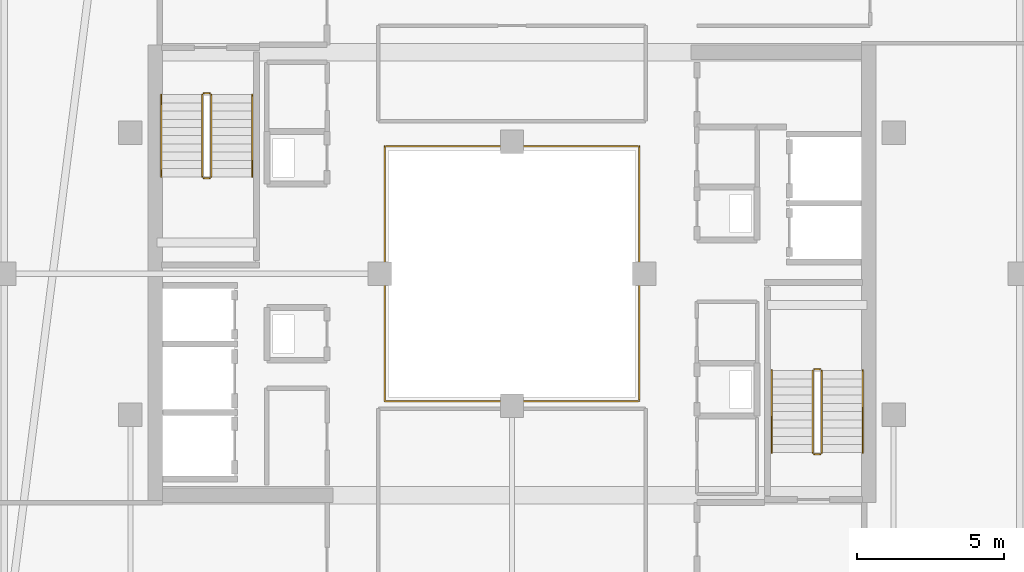
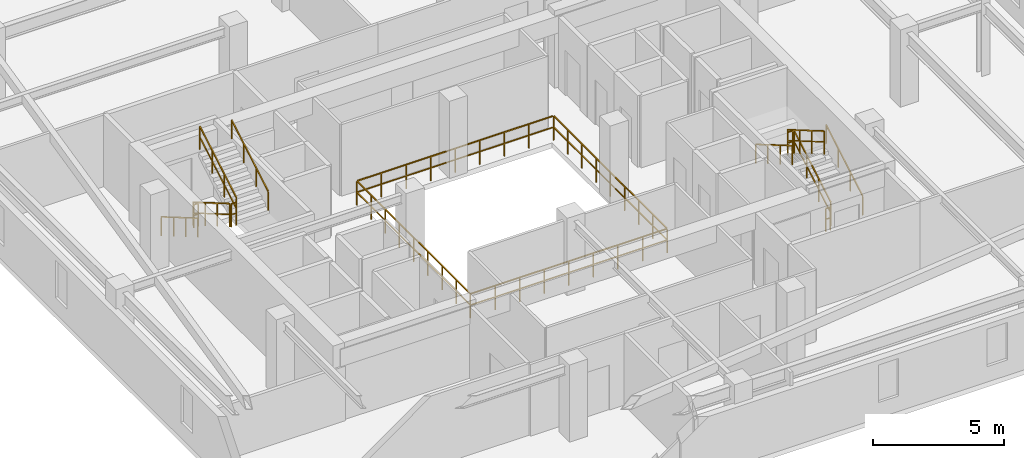
# One storey, part 33 of 34: 13 railings.
"""IFC4 building model written with IfcOpenShell, lengths in metres."""

from ifc_helpers import new_model, si_unit, direction, frame, origin, origin_2d, place, context, subcontext, project, spatial, rectangle, extrude, material, type_object, element, save


model = new_model("IFC4")

# Units and contexts
model_context = context("Model", 3, precision=1e-05, world=origin(), true_north=direction((0.0, 1.0)))
body_context = subcontext(model_context, "Body", "Model", "MODEL_VIEW")
ifc_project = project(units=[si_unit("LENGTHUNIT", "METRE"), si_unit("AREAUNIT", "SQUARE_METRE"), si_unit("VOLUMEUNIT", "CUBIC_METRE"), si_unit("PLANEANGLEUNIT", "RADIAN"), si_unit("MASSUNIT", "GRAM", prefix="KILO")], contexts=[model_context])

# Site, building, storey
site_placement = place(None, origin())
site = spatial("IfcSite", under=ifc_project, at=site_placement, CompositionType="ELEMENT")
building_placement = place(site_placement, origin())
building = spatial("IfcBuilding", under=site, at=building_placement, Name="Thornwick Lancets Civic Towers", CompositionType="ELEMENT")
storey_placement = place(building_placement, frame((0.0, 0.0, 261.89990234375)))
storey = spatial("IfcBuildingStorey", under=building, at=storey_placement, Name="L70", CompositionType="ELEMENT", Elevation=261.89990234375)

# Railings
ifc_material_1 = material(Name="Laminated glass and bronze steel S355", Category="steel")
railing_type_1 = type_object("IfcRailingType", Name="RAIL_ATRIUM_GUARD", PredefinedType="BALUSTRADE", material=ifc_material_1)
railing_1_placement = place(storey_placement, frame((84.159912109375, 22.659912109375, 0.0)))
element("IfcRailing", 1, at=railing_1_placement, inside=storey, type_object=railing_type_1, Name="L70 Tower B Central Atrium Guard Balustrade", PredefinedType="BALUSTRADE", context=body_context, shape_type="SweptSolid", body=[
    extrude(rectangle(XDim=0.048095703125, YDim=0.048095703125, at=origin_2d()), frame((0.0, 0.0, 1.1259765625), z_axis=(1.0, 0.0, 0.0), x_axis=(0.0, 1.0, 0.0)), (0.0, 0.0, 1.0), 8.64892578125),
    extrude(rectangle(XDim=0.0419921875, YDim=0.0419921875, at=origin_2d()), frame((0.03759765625, 0.0, 0.597900390625), z_axis=(1.0, 0.0, 0.0), x_axis=(0.0, 1.0, 0.0)), (0.0, 0.0, 1.0), 1.010009765625),
    extrude(rectangle(XDim=0.0419921875, YDim=0.0419921875, at=origin_2d()), frame((1.12255859375, 0.0, 0.597900390625), z_axis=(1.0, 0.0, 0.0), x_axis=(0.0, 1.0, 0.0)), (0.0, 0.0, 1.0), 1.010009765625),
    extrude(rectangle(XDim=0.0419921875, YDim=0.0419921875, at=origin_2d()), frame((2.20751953125, 0.0, 0.597900390625), z_axis=(1.0, 0.0, 0.0), x_axis=(0.0, 1.0, 0.0)), (0.0, 0.0, 1.0), 1.010009765625),
    extrude(rectangle(XDim=0.0419921875, YDim=0.0419921875, at=origin_2d()), frame((3.29248046875, 0.0, 0.597900390625), z_axis=(1.0, 0.0, 0.0), x_axis=(0.0, 1.0, 0.0)), (0.0, 0.0, 1.0), 1.010009765625),
    extrude(rectangle(XDim=0.0419921875, YDim=0.0419921875, at=origin_2d()), frame((4.377685546875, 0.0, 0.597900390625), z_axis=(1.0, 0.0, 0.0), x_axis=(0.0, 1.0, 0.0)), (0.0, 0.0, 1.0), 1.010009765625),
    extrude(rectangle(XDim=0.0419921875, YDim=0.0419921875, at=origin_2d()), frame((5.462646484375, 0.0, 0.597900390625), z_axis=(1.0, 0.0, 0.0), x_axis=(0.0, 1.0, 0.0)), (0.0, 0.0, 1.0), 1.010009765625),
    extrude(rectangle(XDim=0.0419921875, YDim=0.0419921875, at=origin_2d()), frame((6.547607421875, 0.0, 0.597900390625), z_axis=(1.0, 0.0, 0.0), x_axis=(0.0, 1.0, 0.0)), (0.0, 0.0, 1.0), 1.010009765625),
    extrude(rectangle(XDim=0.0419921875, YDim=0.0419921875, at=origin_2d()), frame((7.632568359375, 0.0, 0.597900390625), z_axis=(1.0, 0.0, 0.0), x_axis=(0.0, 1.0, 0.0)), (0.0, 0.0, 1.0), 1.010009765625),
    extrude(rectangle(XDim=0.048095703125, YDim=0.048095703125, at=origin_2d()), frame((8.68017578125, 0.03125, 1.1259765625), z_axis=(0.0, 1.0, 0.0), x_axis=(-1.0, 0.0, 0.0)), (0.0, 0.0, 1.0), 8.61767578125),
    extrude(rectangle(XDim=0.0419921875, YDim=0.0419921875, at=origin_2d()), frame((8.68017578125, 0.03759765625, 0.597900390625), z_axis=(0.0, 1.0, 0.0), x_axis=(-1.0, 0.0, 0.0)), (0.0, 0.0, 1.0), 1.010009765625),
    extrude(rectangle(XDim=0.0419921875, YDim=0.0419921875, at=origin_2d()), frame((8.68017578125, 1.12255859375, 0.597900390625), z_axis=(0.0, 1.0, 0.0), x_axis=(-1.0, 0.0, 0.0)), (0.0, 0.0, 1.0), 1.010009765625),
    extrude(rectangle(XDim=0.0419921875, YDim=0.0419921875, at=origin_2d()), frame((8.68017578125, 2.20751953125, 0.597900390625), z_axis=(0.0, 1.0, 0.0), x_axis=(-1.0, 0.0, 0.0)), (0.0, 0.0, 1.0), 1.010009765625),
    extrude(rectangle(XDim=0.0419921875, YDim=0.0419921875, at=origin_2d()), frame((8.68017578125, 3.29248046875, 0.597900390625), z_axis=(0.0, 1.0, 0.0), x_axis=(-1.0, 0.0, 0.0)), (0.0, 0.0, 1.0), 1.010009765625),
    extrude(rectangle(XDim=0.0419921875, YDim=0.0419921875, at=origin_2d()), frame((8.68017578125, 4.377685546875, 0.597900390625), z_axis=(0.0, 1.0, 0.0), x_axis=(-1.0, 0.0, 0.0)), (0.0, 0.0, 1.0), 1.010009765625),
    extrude(rectangle(XDim=0.0419921875, YDim=0.0419921875, at=origin_2d()), frame((8.68017578125, 5.462646484375, 0.597900390625), z_axis=(0.0, 1.0, 0.0), x_axis=(-1.0, 0.0, 0.0)), (0.0, 0.0, 1.0), 1.010009765625),
    extrude(rectangle(XDim=0.0419921875, YDim=0.0419921875, at=origin_2d()), frame((8.68017578125, 6.547607421875, 0.597900390625), z_axis=(0.0, 1.0, 0.0), x_axis=(-1.0, 0.0, 0.0)), (0.0, 0.0, 1.0), 1.010009765625),
    extrude(rectangle(XDim=0.0419921875, YDim=0.0419921875, at=origin_2d()), frame((8.68017578125, 7.632568359375, 0.597900390625), z_axis=(0.0, 1.0, 0.0), x_axis=(-1.0, 0.0, 0.0)), (0.0, 0.0, 1.0), 1.010009765625),
    extrude(rectangle(XDim=0.048095703125, YDim=0.048095703125, at=origin_2d()), frame((8.64892578125, 8.68017578125, 1.1259765625), z_axis=(-1.0, 0.0, 0.0), x_axis=(0.0, -1.0, 0.0)), (0.0, 0.0, 1.0), 8.61767578125),
    extrude(rectangle(XDim=0.0419921875, YDim=0.0419921875, at=origin_2d()), frame((8.642578125, 8.68017578125, 0.597900390625), z_axis=(-1.0, 0.0, 0.0), x_axis=(0.0, -1.0, 0.0)), (0.0, 0.0, 1.0), 1.010009765625),
    extrude(rectangle(XDim=0.0419921875, YDim=0.0419921875, at=origin_2d()), frame((7.5576171875, 8.68017578125, 0.597900390625), z_axis=(-1.0, 0.0, 0.0), x_axis=(0.0, -1.0, 0.0)), (0.0, 0.0, 1.0), 1.010009765625),
    extrude(rectangle(XDim=0.0419921875, YDim=0.0419921875, at=origin_2d()), frame((6.47265625, 8.68017578125, 0.597900390625), z_axis=(-1.0, 0.0, 0.0), x_axis=(0.0, -1.0, 0.0)), (0.0, 0.0, 1.0), 1.010009765625),
    extrude(rectangle(XDim=0.0419921875, YDim=0.0419921875, at=origin_2d()), frame((5.3876953125, 8.68017578125, 0.597900390625), z_axis=(-1.0, 0.0, 0.0), x_axis=(0.0, -1.0, 0.0)), (0.0, 0.0, 1.0), 1.010009765625),
    extrude(rectangle(XDim=0.0419921875, YDim=0.0419921875, at=origin_2d()), frame((4.302490234375, 8.68017578125, 0.597900390625), z_axis=(-1.0, 0.0, 0.0), x_axis=(0.0, -1.0, 0.0)), (0.0, 0.0, 1.0), 1.010009765625),
    extrude(rectangle(XDim=0.0419921875, YDim=0.0419921875, at=origin_2d()), frame((3.217529296875, 8.68017578125, 0.597900390625), z_axis=(-1.0, 0.0, 0.0), x_axis=(0.0, -1.0, 0.0)), (0.0, 0.0, 1.0), 1.010009765625),
    extrude(rectangle(XDim=0.0419921875, YDim=0.0419921875, at=origin_2d()), frame((2.132568359375, 8.68017578125, 0.597900390625), z_axis=(-1.0, 0.0, 0.0), x_axis=(0.0, -1.0, 0.0)), (0.0, 0.0, 1.0), 1.010009765625),
    extrude(rectangle(XDim=0.0419921875, YDim=0.0419921875, at=origin_2d()), frame((1.047607421875, 8.68017578125, 0.597900390625), z_axis=(-1.0, 0.0, 0.0), x_axis=(0.0, -1.0, 0.0)), (0.0, 0.0, 1.0), 1.010009765625),
    extrude(rectangle(XDim=0.048095703125, YDim=0.048095703125, at=origin_2d()), frame((0.0, 8.64892578125, 1.1259765625), z_axis=(0.0, -1.0, 0.0), x_axis=(1.0, 0.0, 0.0)), (0.0, 0.0, 1.0), 8.64892578125),
    extrude(rectangle(XDim=0.0419921875, YDim=0.0419921875, at=origin_2d()), frame((0.0, 8.642578125, 0.597900390625), z_axis=(0.0, -1.0, 0.0), x_axis=(1.0, 0.0, 0.0)), (0.0, 0.0, 1.0), 1.010009765625),
    extrude(rectangle(XDim=0.0419921875, YDim=0.0419921875, at=origin_2d()), frame((0.0, 7.5576171875, 0.597900390625), z_axis=(0.0, -1.0, 0.0), x_axis=(1.0, 0.0, 0.0)), (0.0, 0.0, 1.0), 1.010009765625),
    extrude(rectangle(XDim=0.0419921875, YDim=0.0419921875, at=origin_2d()), frame((0.0, 6.47265625, 0.597900390625), z_axis=(0.0, -1.0, 0.0), x_axis=(1.0, 0.0, 0.0)), (0.0, 0.0, 1.0), 1.010009765625),
    extrude(rectangle(XDim=0.0419921875, YDim=0.0419921875, at=origin_2d()), frame((0.0, 5.3876953125, 0.597900390625), z_axis=(0.0, -1.0, 0.0), x_axis=(1.0, 0.0, 0.0)), (0.0, 0.0, 1.0), 1.010009765625),
    extrude(rectangle(XDim=0.0419921875, YDim=0.0419921875, at=origin_2d()), frame((0.0, 4.302490234375, 0.597900390625), z_axis=(0.0, -1.0, 0.0), x_axis=(1.0, 0.0, 0.0)), (0.0, 0.0, 1.0), 1.010009765625),
    extrude(rectangle(XDim=0.0419921875, YDim=0.0419921875, at=origin_2d()), frame((0.0, 3.217529296875, 0.597900390625), z_axis=(0.0, -1.0, 0.0), x_axis=(1.0, 0.0, 0.0)), (0.0, 0.0, 1.0), 1.010009765625),
    extrude(rectangle(XDim=0.0419921875, YDim=0.0419921875, at=origin_2d()), frame((0.0, 2.132568359375, 0.597900390625), z_axis=(0.0, -1.0, 0.0), x_axis=(1.0, 0.0, 0.0)), (0.0, 0.0, 1.0), 1.010009765625),
    extrude(rectangle(XDim=0.0419921875, YDim=0.0419921875, at=origin_2d()), frame((0.0, 1.047607421875, 0.597900390625), z_axis=(0.0, -1.0, 0.0), x_axis=(1.0, 0.0, 0.0)), (0.0, 0.0, 1.0), 1.010009765625),
    extrude(rectangle(XDim=0.0419921875, YDim=0.0419921875, at=origin_2d()), origin(), (0.0, 0.0, 1.0), 1.095703125),
    extrude(rectangle(XDim=0.0419921875, YDim=0.0419921875, at=origin_2d()), frame((1.0849609375, 0.0, 0.0)), (0.0, 0.0, 1.0), 1.095703125),
    extrude(rectangle(XDim=0.0419921875, YDim=0.0419921875, at=origin_2d()), frame((2.169921875, 0.0, 0.0)), (0.0, 0.0, 1.0), 1.095703125),
    extrude(rectangle(XDim=0.0419921875, YDim=0.0419921875, at=origin_2d()), frame((3.255126953125, 0.0, 0.0)), (0.0, 0.0, 1.0), 1.095703125),
    extrude(rectangle(XDim=0.0419921875, YDim=0.0419921875, at=origin_2d()), frame((4.340087890625, 0.0, 0.0)), (0.0, 0.0, 1.0), 1.095703125),
    extrude(rectangle(XDim=0.0419921875, YDim=0.0419921875, at=origin_2d()), frame((5.425048828125, 0.0, 0.0)), (0.0, 0.0, 1.0), 1.095703125),
    extrude(rectangle(XDim=0.0419921875, YDim=0.0419921875, at=origin_2d()), frame((6.51025390625, 0.0, 0.0)), (0.0, 0.0, 1.0), 1.095703125),
    extrude(rectangle(XDim=0.0419921875, YDim=0.0419921875, at=origin_2d()), frame((7.59521484375, 0.0, 0.0)), (0.0, 0.0, 1.0), 1.095703125),
    extrude(rectangle(XDim=0.0419921875, YDim=0.0419921875, at=origin_2d()), frame((8.68017578125, 0.0, 0.0)), (0.0, 0.0, 1.0), 1.095703125),
    extrude(rectangle(XDim=0.0419921875, YDim=0.0419921875, at=origin_2d()), frame((8.68017578125, 1.0849609375, 0.0)), (0.0, 0.0, 1.0), 1.095703125),
    extrude(rectangle(XDim=0.0419921875, YDim=0.0419921875, at=origin_2d()), frame((8.68017578125, 2.169921875, 0.0)), (0.0, 0.0, 1.0), 1.095703125),
    extrude(rectangle(XDim=0.0419921875, YDim=0.0419921875, at=origin_2d()), frame((8.68017578125, 3.255126953125, 0.0)), (0.0, 0.0, 1.0), 1.095703125),
    extrude(rectangle(XDim=0.0419921875, YDim=0.0419921875, at=origin_2d()), frame((8.68017578125, 4.340087890625, 0.0)), (0.0, 0.0, 1.0), 1.095703125),
    extrude(rectangle(XDim=0.0419921875, YDim=0.0419921875, at=origin_2d()), frame((8.68017578125, 5.425048828125, 0.0)), (0.0, 0.0, 1.0), 1.095703125),
    extrude(rectangle(XDim=0.0419921875, YDim=0.0419921875, at=origin_2d()), frame((8.68017578125, 6.51025390625, 0.0)), (0.0, 0.0, 1.0), 1.095703125),
    extrude(rectangle(XDim=0.0419921875, YDim=0.0419921875, at=origin_2d()), frame((8.68017578125, 7.59521484375, 0.0)), (0.0, 0.0, 1.0), 1.095703125),
    extrude(rectangle(XDim=0.0419921875, YDim=0.0419921875, at=origin_2d()), frame((8.68017578125, 8.68017578125, 0.0)), (0.0, 0.0, 1.0), 1.095703125),
    extrude(rectangle(XDim=0.0419921875, YDim=0.0419921875, at=origin_2d()), frame((7.59521484375, 8.68017578125, 0.0)), (0.0, 0.0, 1.0), 1.095703125),
    extrude(rectangle(XDim=0.0419921875, YDim=0.0419921875, at=origin_2d()), frame((6.51025390625, 8.68017578125, 0.0)), (0.0, 0.0, 1.0), 1.095703125),
    extrude(rectangle(XDim=0.0419921875, YDim=0.0419921875, at=origin_2d()), frame((5.425048828125, 8.68017578125, 0.0)), (0.0, 0.0, 1.0), 1.095703125),
    extrude(rectangle(XDim=0.0419921875, YDim=0.0419921875, at=origin_2d()), frame((4.340087890625, 8.68017578125, 0.0)), (0.0, 0.0, 1.0), 1.095703125),
    extrude(rectangle(XDim=0.0419921875, YDim=0.0419921875, at=origin_2d()), frame((3.255126953125, 8.68017578125, 0.0)), (0.0, 0.0, 1.0), 1.095703125),
    extrude(rectangle(XDim=0.0419921875, YDim=0.0419921875, at=origin_2d()), frame((2.169921875, 8.68017578125, 0.0)), (0.0, 0.0, 1.0), 1.095703125),
    extrude(rectangle(XDim=0.0419921875, YDim=0.0419921875, at=origin_2d()), frame((1.0849609375, 8.68017578125, 0.0)), (0.0, 0.0, 1.0), 1.095703125),
    extrude(rectangle(XDim=0.0419921875, YDim=0.0419921875, at=origin_2d()), frame((0.0, 8.68017578125, 0.0)), (0.0, 0.0, 1.0), 1.095703125),
    extrude(rectangle(XDim=0.0419921875, YDim=0.0419921875, at=origin_2d()), frame((0.0, 7.59521484375, 0.0)), (0.0, 0.0, 1.0), 1.095703125),
    extrude(rectangle(XDim=0.0419921875, YDim=0.0419921875, at=origin_2d()), frame((0.0, 6.51025390625, 0.0)), (0.0, 0.0, 1.0), 1.095703125),
    extrude(rectangle(XDim=0.0419921875, YDim=0.0419921875, at=origin_2d()), frame((0.0, 5.425048828125, 0.0)), (0.0, 0.0, 1.0), 1.095703125),
    extrude(rectangle(XDim=0.0419921875, YDim=0.0419921875, at=origin_2d()), frame((0.0, 4.340087890625, 0.0)), (0.0, 0.0, 1.0), 1.095703125),
    extrude(rectangle(XDim=0.0419921875, YDim=0.0419921875, at=origin_2d()), frame((0.0, 3.255126953125, 0.0)), (0.0, 0.0, 1.0), 1.095703125),
    extrude(rectangle(XDim=0.0419921875, YDim=0.0419921875, at=origin_2d()), frame((0.0, 2.169921875, 0.0)), (0.0, 0.0, 1.0), 1.095703125),
    extrude(rectangle(XDim=0.0419921875, YDim=0.0419921875, at=origin_2d()), frame((0.0, 1.0849609375, 0.0)), (0.0, 0.0, 1.0), 1.095703125),
])
ifc_material_2 = material(Name="Brushed stainless steel S355", Category="steel")
railing_type_2 = type_object("IfcRailingType", Name="RAIL_HANDRAIL", PredefinedType="HANDRAIL", material=ifc_material_2)
railing_2_placement = place(storey_placement, frame((100.449951171875, 20.89990234375, 0.163818359375)))
element("IfcRailing", 2, at=railing_2_placement, inside=storey, type_object=railing_type_2, Name="L70 ST-B1 stair handrail 1", PredefinedType="HANDRAIL", context=body_context, shape_type="SweptSolid", body=[
    extrude(rectangle(XDim=0.048095703125, YDim=0.048095703125, at=origin_2d()), frame((0.0, 0.0, 0.8857421875), z_axis=(0.0, 0.863393664356, 0.504530851732), x_axis=(-1.0, 0.0, 0.0)), (0.0, 0.0, 1.0), 3.2431640625),
    extrude(rectangle(XDim=0.0419921875, YDim=0.0419921875, at=origin_2d()), origin(), (0.0, 0.0, 1.0), 0.855712890625),
    extrude(rectangle(XDim=0.0419921875, YDim=0.0419921875, at=origin_2d()), frame((0.0, 0.933349609375, 0.54541015625)), (0.0, 0.0, 1.0), 0.855712890625),
    extrude(rectangle(XDim=0.0419921875, YDim=0.0419921875, at=origin_2d()), frame((0.0, 1.86669921875, 1.0908203125)), (0.0, 0.0, 1.0), 0.855712890625),
    extrude(rectangle(XDim=0.0419921875, YDim=0.0419921875, at=origin_2d()), frame((0.0, 2.800048828125, 1.63623046875)), (0.0, 0.0, 1.0), 0.855712890625),
])
railing_3_placement = place(storey_placement, frame((97.35009765625, 23.699951171875, 1.963623046875)))
element("IfcRailing", 3, at=railing_3_placement, inside=storey, type_object=railing_type_2, Name="L70 ST-B1 stair handrail 2", PredefinedType="HANDRAIL", context=body_context, shape_type="SweptSolid", body=[
    extrude(rectangle(XDim=0.048095703125, YDim=0.048095703125, at=origin_2d()), frame((0.0, 0.0, 0.8857421875), z_axis=(0.0, -0.863360870873, 0.504586966384), x_axis=(1.0, 0.0, 0.0)), (0.0, 0.0, 1.0), 3.2431640625),
    extrude(rectangle(XDim=0.0419921875, YDim=0.0419921875, at=origin_2d()), origin(), (0.0, 0.0, 1.0), 0.855712890625),
    extrude(rectangle(XDim=0.0419921875, YDim=0.0419921875, at=origin_2d()), frame((0.0, -0.933349609375, 0.54541015625)), (0.0, 0.0, 1.0), 0.855712890625),
    extrude(rectangle(XDim=0.0419921875, YDim=0.0419921875, at=origin_2d()), frame((0.0, -1.86669921875, 1.091064453125)), (0.0, 0.0, 1.0), 0.855712890625),
    extrude(rectangle(XDim=0.0419921875, YDim=0.0419921875, at=origin_2d()), frame((0.0, -2.800048828125, 1.636474609375)), (0.0, 0.0, 1.0), 0.855712890625),
])
railing_4_placement = place(storey_placement, frame((76.550048828125, 33.10009765625, 0.163818359375)))
element("IfcRailing", 4, at=railing_4_placement, inside=storey, type_object=railing_type_2, Name="L70 ST-B2 stair handrail 1", PredefinedType="HANDRAIL", context=body_context, shape_type="SweptSolid", body=[
    extrude(rectangle(XDim=0.048095703125, YDim=0.048095703125, at=origin_2d()), frame((0.0, 0.0, 0.8857421875), z_axis=(0.0, -0.863393664356, 0.504530851732), x_axis=(1.0, 0.0, 0.0)), (0.0, 0.0, 1.0), 3.2431640625),
    extrude(rectangle(XDim=0.0419921875, YDim=0.0419921875, at=origin_2d()), origin(), (0.0, 0.0, 1.0), 0.855712890625),
    extrude(rectangle(XDim=0.0419921875, YDim=0.0419921875, at=origin_2d()), frame((0.0, -0.933349609375, 0.54541015625)), (0.0, 0.0, 1.0), 0.855712890625),
    extrude(rectangle(XDim=0.0419921875, YDim=0.0419921875, at=origin_2d()), frame((0.0, -1.86669921875, 1.0908203125)), (0.0, 0.0, 1.0), 0.855712890625),
    extrude(rectangle(XDim=0.0419921875, YDim=0.0419921875, at=origin_2d()), frame((0.0, -2.800048828125, 1.63623046875)), (0.0, 0.0, 1.0), 0.855712890625),
])
railing_5_placement = place(storey_placement, frame((79.64990234375, 30.300048828125, 1.963623046875)))
element("IfcRailing", 5, at=railing_5_placement, inside=storey, type_object=railing_type_2, Name="L70 ST-B2 stair handrail 2", PredefinedType="HANDRAIL", context=body_context, shape_type="SweptSolid", body=[
    extrude(rectangle(XDim=0.048095703125, YDim=0.048095703125, at=origin_2d()), frame((0.0, 0.0, 0.8857421875), z_axis=(0.0, 0.863360870873, 0.504586966384), x_axis=(-1.0, 0.0, 0.0)), (0.0, 0.0, 1.0), 3.2431640625),
    extrude(rectangle(XDim=0.0419921875, YDim=0.0419921875, at=origin_2d()), origin(), (0.0, 0.0, 1.0), 0.855712890625),
    extrude(rectangle(XDim=0.0419921875, YDim=0.0419921875, at=origin_2d()), frame((0.0, 0.933349609375, 0.54541015625)), (0.0, 0.0, 1.0), 0.855712890625),
    extrude(rectangle(XDim=0.0419921875, YDim=0.0419921875, at=origin_2d()), frame((0.0, 1.86669921875, 1.091064453125)), (0.0, 0.0, 1.0), 0.855712890625),
    extrude(rectangle(XDim=0.0419921875, YDim=0.0419921875, at=origin_2d()), frame((0.0, 2.800048828125, 1.636474609375)), (0.0, 0.0, 1.0), 0.855712890625),
])
ifc_material_3 = material(Name="Steel S355JR", Category="steel")
railing_type_3 = type_object("IfcRailingType", Name="RAIL_STAIR_GUARD", PredefinedType="GUARDRAIL", material=ifc_material_3)
railing_6_placement = place(storey_placement, frame((99.050048828125, 20.89990234375, 0.163818359375)))
element("IfcRailing", 6, at=railing_6_placement, inside=storey, type_object=railing_type_3, Name="L70 ST-B1 stair guard 1", PredefinedType="GUARDRAIL", context=body_context, shape_type="SweptSolid", body=[
    extrude(rectangle(XDim=0.048095703125, YDim=0.048095703125, at=origin_2d()), frame((0.0, 0.0, 1.076171875), z_axis=(0.0, 0.863393664356, 0.504530851732), x_axis=(-1.0, 0.0, 0.0)), (0.0, 0.0, 1.0), 3.2431640625),
    extrude(rectangle(XDim=0.0419921875, YDim=0.0419921875, at=origin_2d()), frame((0.0, 0.032470703125, 0.591064453125), z_axis=(0.0, 0.863393664356, 0.504530851732), x_axis=(-1.0, 0.0, 0.0)), (0.0, 0.0, 1.0), 1.006103515625),
    extrude(rectangle(XDim=0.0419921875, YDim=0.0419921875, at=origin_2d()), frame((0.0, 0.9658203125, 1.136474609375), z_axis=(0.0, 0.863393664356, 0.504530851732), x_axis=(-1.0, 0.0, 0.0)), (0.0, 0.0, 1.0), 1.006103515625),
    extrude(rectangle(XDim=0.0419921875, YDim=0.0419921875, at=origin_2d()), frame((0.0, 1.899169921875, 1.681884765625), z_axis=(0.0, 0.863393664356, 0.504530851732), x_axis=(-1.0, 0.0, 0.0)), (0.0, 0.0, 1.0), 1.006103515625),
    extrude(rectangle(XDim=0.0419921875, YDim=0.0419921875, at=origin_2d()), origin(), (0.0, 0.0, 1.0), 1.0458984375),
    extrude(rectangle(XDim=0.0419921875, YDim=0.0419921875, at=origin_2d()), frame((0.0, 0.933349609375, 0.54541015625)), (0.0, 0.0, 1.0), 1.0458984375),
    extrude(rectangle(XDim=0.0419921875, YDim=0.0419921875, at=origin_2d()), frame((0.0, 1.86669921875, 1.0908203125)), (0.0, 0.0, 1.0), 1.0458984375),
    extrude(rectangle(XDim=0.0419921875, YDim=0.0419921875, at=origin_2d()), frame((0.0, 2.800048828125, 1.63623046875)), (0.0, 0.0, 1.0), 1.0458984375),
])
railing_7_placement = place(storey_placement, frame((99.0, 23.75, 1.800048828125)))
element("IfcRailing", 7, at=railing_7_placement, inside=storey, type_object=railing_type_3, Name="L70 ST-B1 stair guard 2", PredefinedType="GUARDRAIL", context=body_context, shape_type="SweptSolid", body=[
    extrude(rectangle(XDim=0.048095703125, YDim=0.048095703125, at=origin_2d()), frame((0.0, 0.0, 1.076171875), z_axis=(-1.0, 0.0, 0.0), x_axis=(0.0, -1.0, 0.0)), (0.0, 0.0, 1.0), 0.199951171875),
    extrude(rectangle(XDim=0.0419921875, YDim=0.0419921875, at=origin_2d()), frame((-0.03759765625, 0.0, 0.572021484375), z_axis=(-1.0, 0.0, 0.0), x_axis=(0.0, -1.0, 0.0)), (0.0, 0.0, 1.0), 0.125),
    extrude(rectangle(XDim=0.0419921875, YDim=0.0419921875, at=origin_2d()), origin(), (0.0, 0.0, 1.0), 1.0458984375),
    extrude(rectangle(XDim=0.0419921875, YDim=0.0419921875, at=origin_2d()), frame((-0.199951171875, 0.0, 0.0)), (0.0, 0.0, 1.0), 1.0458984375),
])
railing_8_placement = place(storey_placement, frame((98.75, 23.699951171875, 1.963623046875)))
element("IfcRailing", 8, at=railing_8_placement, inside=storey, type_object=railing_type_3, Name="L70 ST-B1 stair guard 3", PredefinedType="GUARDRAIL", context=body_context, shape_type="SweptSolid", body=[
    extrude(rectangle(XDim=0.048095703125, YDim=0.048095703125, at=origin_2d()), frame((0.0, 0.0, 1.076171875), z_axis=(0.0, -0.863360870873, 0.504586966384), x_axis=(1.0, 0.0, 0.0)), (0.0, 0.0, 1.0), 3.2431640625),
    extrude(rectangle(XDim=0.0419921875, YDim=0.0419921875, at=origin_2d()), frame((0.0, -0.032470703125, 0.591064453125), z_axis=(0.0, -0.863360870873, 0.504586966384), x_axis=(1.0, 0.0, 0.0)), (0.0, 0.0, 1.0), 1.006103515625),
    extrude(rectangle(XDim=0.0419921875, YDim=0.0419921875, at=origin_2d()), frame((0.0, -0.9658203125, 1.136474609375), z_axis=(0.0, -0.863360870873, 0.504586966384), x_axis=(1.0, 0.0, 0.0)), (0.0, 0.0, 1.0), 1.006103515625),
    extrude(rectangle(XDim=0.0419921875, YDim=0.0419921875, at=origin_2d()), frame((0.0, -1.899169921875, 1.681884765625), z_axis=(0.0, -0.863360870873, 0.504586966384), x_axis=(1.0, 0.0, 0.0)), (0.0, 0.0, 1.0), 1.006103515625),
    extrude(rectangle(XDim=0.0419921875, YDim=0.0419921875, at=origin_2d()), origin(), (0.0, 0.0, 1.0), 1.0458984375),
    extrude(rectangle(XDim=0.0419921875, YDim=0.0419921875, at=origin_2d()), frame((0.0, -0.933349609375, 0.54541015625)), (0.0, 0.0, 1.0), 1.0458984375),
    extrude(rectangle(XDim=0.0419921875, YDim=0.0419921875, at=origin_2d()), frame((0.0, -1.86669921875, 1.091064453125)), (0.0, 0.0, 1.0), 1.0458984375),
    extrude(rectangle(XDim=0.0419921875, YDim=0.0419921875, at=origin_2d()), frame((0.0, -2.800048828125, 1.636474609375)), (0.0, 0.0, 1.0), 1.0458984375),
])
railing_9_placement = place(storey_placement, frame((99.0, 20.85009765625, 0.0)))
element("IfcRailing", 9, at=railing_9_placement, inside=storey, type_object=railing_type_3, Name="L70 ST-B1 stair guard 4", PredefinedType="GUARDRAIL", context=body_context, shape_type="SweptSolid", body=[
    extrude(rectangle(XDim=0.048095703125, YDim=0.048095703125, at=origin_2d()), frame((0.0, 0.0, 1.076171875), z_axis=(-1.0, 0.0, 0.0), x_axis=(0.0, -1.0, 0.0)), (0.0, 0.0, 1.0), 0.199951171875),
    extrude(rectangle(XDim=0.0419921875, YDim=0.0419921875, at=origin_2d()), frame((-0.03759765625, 0.0, 0.572021484375), z_axis=(-1.0, 0.0, 0.0), x_axis=(0.0, -1.0, 0.0)), (0.0, 0.0, 1.0), 0.125),
    extrude(rectangle(XDim=0.0419921875, YDim=0.0419921875, at=origin_2d()), origin(), (0.0, 0.0, 1.0), 1.0458984375),
    extrude(rectangle(XDim=0.0419921875, YDim=0.0419921875, at=origin_2d()), frame((-0.199951171875, 0.0, 0.0)), (0.0, 0.0, 1.0), 1.0458984375),
])
railing_10_placement = place(storey_placement, frame((77.949951171875, 33.10009765625, 0.163818359375)))
element("IfcRailing", 10, at=railing_10_placement, inside=storey, type_object=railing_type_3, Name="L70 ST-B2 stair guard 1", PredefinedType="GUARDRAIL", context=body_context, shape_type="SweptSolid", body=[
    extrude(rectangle(XDim=0.048095703125, YDim=0.048095703125, at=origin_2d()), frame((0.0, 0.0, 1.076171875), z_axis=(0.0, -0.863393664356, 0.504530851732), x_axis=(1.0, 0.0, 0.0)), (0.0, 0.0, 1.0), 3.2431640625),
    extrude(rectangle(XDim=0.0419921875, YDim=0.0419921875, at=origin_2d()), frame((0.0, -0.032470703125, 0.591064453125), z_axis=(0.0, -0.863393664356, 0.504530851732), x_axis=(1.0, 0.0, 0.0)), (0.0, 0.0, 1.0), 1.006103515625),
    extrude(rectangle(XDim=0.0419921875, YDim=0.0419921875, at=origin_2d()), frame((0.0, -0.9658203125, 1.136474609375), z_axis=(0.0, -0.863393664356, 0.504530851732), x_axis=(1.0, 0.0, 0.0)), (0.0, 0.0, 1.0), 1.006103515625),
    extrude(rectangle(XDim=0.0419921875, YDim=0.0419921875, at=origin_2d()), frame((0.0, -1.899169921875, 1.681884765625), z_axis=(0.0, -0.863393664356, 0.504530851732), x_axis=(1.0, 0.0, 0.0)), (0.0, 0.0, 1.0), 1.006103515625),
    extrude(rectangle(XDim=0.0419921875, YDim=0.0419921875, at=origin_2d()), origin(), (0.0, 0.0, 1.0), 1.0458984375),
    extrude(rectangle(XDim=0.0419921875, YDim=0.0419921875, at=origin_2d()), frame((0.0, -0.933349609375, 0.54541015625)), (0.0, 0.0, 1.0), 1.0458984375),
    extrude(rectangle(XDim=0.0419921875, YDim=0.0419921875, at=origin_2d()), frame((0.0, -1.86669921875, 1.0908203125)), (0.0, 0.0, 1.0), 1.0458984375),
    extrude(rectangle(XDim=0.0419921875, YDim=0.0419921875, at=origin_2d()), frame((0.0, -2.800048828125, 1.63623046875)), (0.0, 0.0, 1.0), 1.0458984375),
])
railing_11_placement = place(storey_placement, frame((78.0, 30.25, 1.800048828125)))
element("IfcRailing", 11, at=railing_11_placement, inside=storey, type_object=railing_type_3, Name="L70 ST-B2 stair guard 2", PredefinedType="GUARDRAIL", context=body_context, shape_type="SweptSolid", body=[
    extrude(rectangle(XDim=0.048095703125, YDim=0.048095703125, at=origin_2d()), frame((0.0, 0.0, 1.076171875), z_axis=(1.0, 0.0, 0.0), x_axis=(0.0, 1.0, 0.0)), (0.0, 0.0, 1.0), 0.199951171875),
    extrude(rectangle(XDim=0.0419921875, YDim=0.0419921875, at=origin_2d()), frame((0.03759765625, 0.0, 0.572021484375), z_axis=(1.0, 0.0, 0.0), x_axis=(0.0, 1.0, 0.0)), (0.0, 0.0, 1.0), 0.125),
    extrude(rectangle(XDim=0.0419921875, YDim=0.0419921875, at=origin_2d()), origin(), (0.0, 0.0, 1.0), 1.0458984375),
    extrude(rectangle(XDim=0.0419921875, YDim=0.0419921875, at=origin_2d()), frame((0.199951171875, 0.0, 0.0)), (0.0, 0.0, 1.0), 1.0458984375),
])
railing_12_placement = place(storey_placement, frame((78.25, 30.300048828125, 1.963623046875)))
element("IfcRailing", 12, at=railing_12_placement, inside=storey, type_object=railing_type_3, Name="L70 ST-B2 stair guard 3", PredefinedType="GUARDRAIL", context=body_context, shape_type="SweptSolid", body=[
    extrude(rectangle(XDim=0.048095703125, YDim=0.048095703125, at=origin_2d()), frame((0.0, 0.0, 1.076171875), z_axis=(0.0, 0.863360870873, 0.504586966384), x_axis=(-1.0, 0.0, 0.0)), (0.0, 0.0, 1.0), 3.2431640625),
    extrude(rectangle(XDim=0.0419921875, YDim=0.0419921875, at=origin_2d()), frame((0.0, 0.032470703125, 0.591064453125), z_axis=(0.0, 0.863360870873, 0.504586966384), x_axis=(-1.0, 0.0, 0.0)), (0.0, 0.0, 1.0), 1.006103515625),
    extrude(rectangle(XDim=0.0419921875, YDim=0.0419921875, at=origin_2d()), frame((0.0, 0.9658203125, 1.136474609375), z_axis=(0.0, 0.863360870873, 0.504586966384), x_axis=(-1.0, 0.0, 0.0)), (0.0, 0.0, 1.0), 1.006103515625),
    extrude(rectangle(XDim=0.0419921875, YDim=0.0419921875, at=origin_2d()), frame((0.0, 1.899169921875, 1.681884765625), z_axis=(0.0, 0.863360870873, 0.504586966384), x_axis=(-1.0, 0.0, 0.0)), (0.0, 0.0, 1.0), 1.006103515625),
    extrude(rectangle(XDim=0.0419921875, YDim=0.0419921875, at=origin_2d()), origin(), (0.0, 0.0, 1.0), 1.0458984375),
    extrude(rectangle(XDim=0.0419921875, YDim=0.0419921875, at=origin_2d()), frame((0.0, 0.933349609375, 0.54541015625)), (0.0, 0.0, 1.0), 1.0458984375),
    extrude(rectangle(XDim=0.0419921875, YDim=0.0419921875, at=origin_2d()), frame((0.0, 1.86669921875, 1.091064453125)), (0.0, 0.0, 1.0), 1.0458984375),
    extrude(rectangle(XDim=0.0419921875, YDim=0.0419921875, at=origin_2d()), frame((0.0, 2.800048828125, 1.636474609375)), (0.0, 0.0, 1.0), 1.0458984375),
])
railing_13_placement = place(storey_placement, frame((78.0, 33.14990234375, 0.0)))
element("IfcRailing", 13, at=railing_13_placement, inside=storey, type_object=railing_type_3, Name="L70 ST-B2 stair guard 4", PredefinedType="GUARDRAIL", context=body_context, shape_type="SweptSolid", body=[
    extrude(rectangle(XDim=0.048095703125, YDim=0.048095703125, at=origin_2d()), frame((0.0, 0.0, 1.076171875), z_axis=(1.0, 0.0, 0.0), x_axis=(0.0, 1.0, 0.0)), (0.0, 0.0, 1.0), 0.199951171875),
    extrude(rectangle(XDim=0.0419921875, YDim=0.0419921875, at=origin_2d()), frame((0.03759765625, 0.0, 0.572021484375), z_axis=(1.0, 0.0, 0.0), x_axis=(0.0, 1.0, 0.0)), (0.0, 0.0, 1.0), 0.125),
    extrude(rectangle(XDim=0.0419921875, YDim=0.0419921875, at=origin_2d()), origin(), (0.0, 0.0, 1.0), 1.0458984375),
    extrude(rectangle(XDim=0.0419921875, YDim=0.0419921875, at=origin_2d()), frame((0.199951171875, 0.0, 0.0)), (0.0, 0.0, 1.0), 1.0458984375),
])

save(model, "model.ifc")
